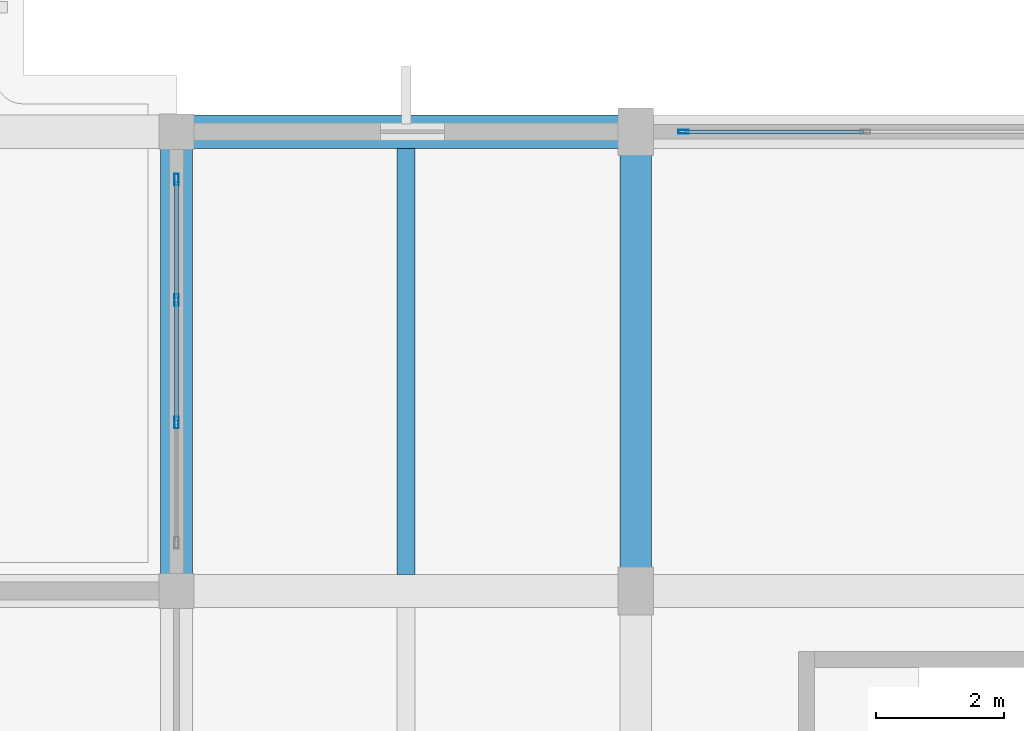
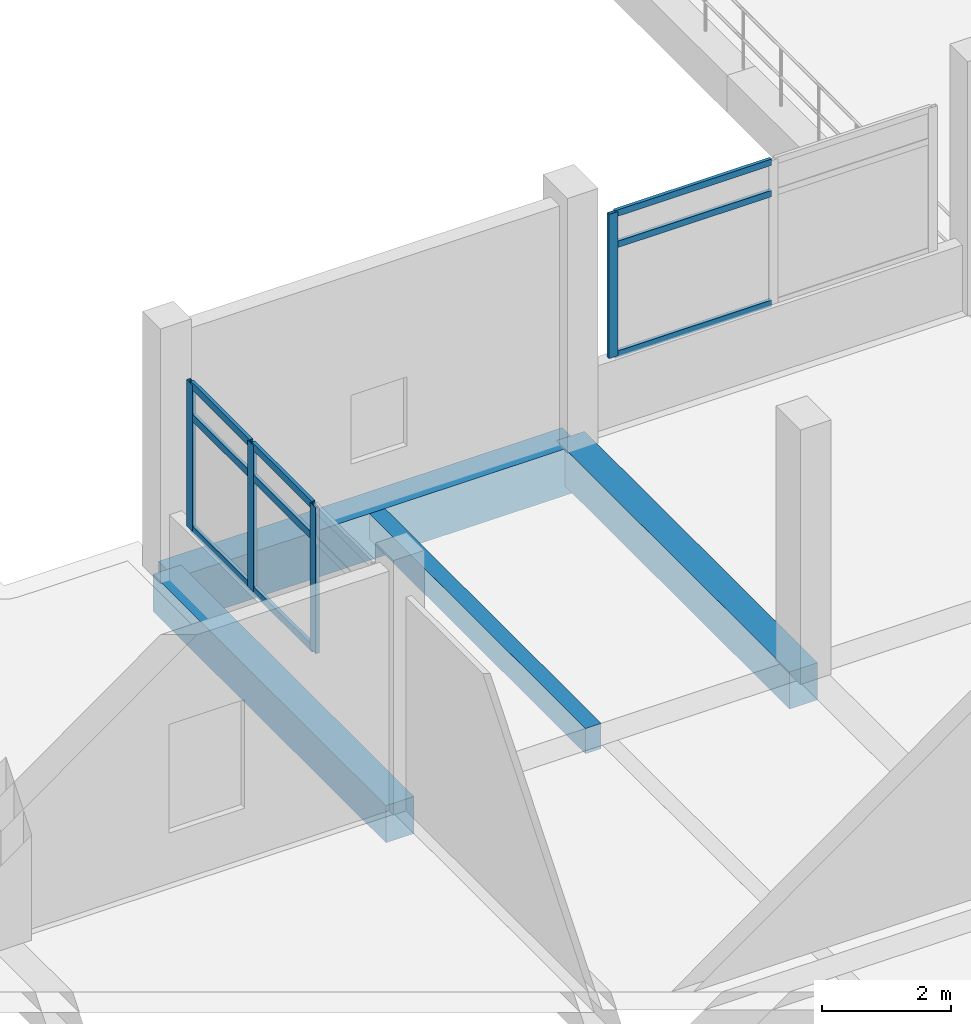
# One storey, part 90 of 140: 13 members, 4 beams, 2 elements without a shape of their own.
"""IFC4 building model written with IfcOpenShell, lengths in metres."""

from ifc_helpers import new_model, si_unit, direction, frame, origin, origin_2d, place, context, subcontext, project, spatial, rectangle, hollow_rectangle, extrude, material, layer, layer_set, material_profile, profile_set, type_object, element, aggregate, save


model = new_model("IFC4")

# Units and contexts
model_context = context("Model", 3, precision=1e-05, world=origin(), true_north=direction((0.0, 1.0)))
body_context = subcontext(model_context, "Body", "Model", "MODEL_VIEW")
ifc_project = project(units=[si_unit("LENGTHUNIT", "METRE"), si_unit("AREAUNIT", "SQUARE_METRE"), si_unit("VOLUMEUNIT", "CUBIC_METRE"), si_unit("PLANEANGLEUNIT", "RADIAN"), si_unit("MASSUNIT", "GRAM", prefix="KILO")], contexts=[model_context])

# Site, building, storey
site_placement = place(None, origin())
site = spatial("IfcSite", under=ifc_project, at=site_placement, CompositionType="ELEMENT")
building_placement = place(site_placement, origin())
building = spatial("IfcBuilding", under=site, at=building_placement, Name="Seraya Terrace Polytechnic", CompositionType="ELEMENT")
storey_placement = place(building_placement, frame((0.0, 0.0, 9.60009765625)))
storey = spatial("IfcBuildingStorey", under=building, at=storey_placement, Name="L02", CompositionType="ELEMENT", Elevation=9.60009765625)

# Beams
ifc_material_1 = material(Name="Concrete C40/50", Category="concrete")
ifc_material_profile_1 = material_profile(ifc_material_1, rectangle(XDim=0.52001953125, YDim=0.8798828125, at=origin_2d()), Name="RC 520x880")
ifc_profile_set_1 = profile_set([ifc_material_profile_1], Name="Concrete C40/50")
beam_type_1 = type_object("IfcBeamType", Name="BM-04", PredefinedType="BEAM", material=ifc_profile_set_1)
beam_1_placement = place(storey_placement, frame((129.60009765625, 36.0, -0.440185546875), z_axis=(1.0, 0.0, 0.0), x_axis=(0.0, 1.0, 0.0)))
element("IfcBeam", 1, at=beam_1_placement, inside=storey, type_object=beam_type_1, Name="Beam BM-04 L02 X (129.6..136.8, 36.0)", PredefinedType="BEAM", context=body_context, shape_type="SweptSolid", body=[
    extrude(rectangle(XDim=0.52001953125, YDim=0.8798828125, at=origin_2d()), origin(), (0.0, 0.0, 1.0), 7.199951171875),
])
ifc_material_profile_2 = material_profile(ifc_material_1, rectangle(XDim=0.5, YDim=0.699951171875, at=origin_2d()), Name="RC 500x700")
ifc_profile_set_2 = profile_set([ifc_material_profile_2], Name="Concrete C40/50")
beam_type_2 = type_object("IfcBeamType", Name="BM-07", PredefinedType="BEAM", material=ifc_profile_set_2)
for number, where, z_axis, x_axis, name in (
    (2, (129.60009765625, 28.800048828125, -0.35009765625), (0.0, 1.0, 0.0), (-1.0, 0.0, 0.0), "Beam BM-07 L02 Y (129.6, 28.8..36.0)"),
    (3, (136.800048828125, 28.800048828125, -0.35009765625), (0.0, 1.0, 0.0), (-1.0, 0.0, 0.0), "Beam BM-07 L02 Y (136.8, 28.8..36.0)"),
):
    element("IfcBeam", number, at=place(storey_placement, frame(where, z_axis=z_axis, x_axis=x_axis)), inside=storey, type_object=beam_type_2, Name=name, PredefinedType="BEAM", context=body_context, shape_type="SweptSolid", body=[
        extrude(rectangle(XDim=0.5, YDim=0.699951171875, at=origin_2d()), origin(), (0.0, 0.0, 1.0), 7.199951171875),
    ])

# Curtain wall, members
ifc_material_2 = material(Name="Anodised aluminium EN AW-6063 T6", Category="aluminium")
ifc_layer_1 = layer(ifc_material_2, 0.179931640625, Name="CW-28")
ifc_layer_set_1 = layer_set([ifc_layer_1], Name="Anodised aluminium EN AW-6063 T6")
curtain_wall_type_1 = type_object("IfcCurtainWallType", Name="CW-28", PredefinedType="NOTDEFINED", material=ifc_layer_set_1)
curtain_wall_1_placement = place(storey_placement, origin())
curtain_wall_1 = element("IfcCurtainWall", 4, at=curtain_wall_1_placement, inside=storey, type_object=curtain_wall_type_1, Name="Unitised curtain wall CW-28 (CW-L02-064)", PredefinedType="NOTDEFINED")
ifc_material_profile_3 = material_profile(ifc_material_2, hollow_rectangle(XDim=0.06494140625, YDim=0.179931640625, WallThickness=0.00390625, at=origin_2d()), Name="RHS 180x65x4.0")
ifc_profile_set_3 = profile_set([ifc_material_profile_3], Name="Anodised aluminium EN AW-6063 T6")
member_type_1 = type_object("IfcMemberType", Name="CWM-01", PredefinedType="MULLION", material=ifc_profile_set_3)
member_1_placement = place(storey_placement, frame((129.60009765625, 31.43994140625, 1.239990234375), z_axis=(0.0, 0.0, 1.0), x_axis=(-1.0, 0.0, 0.0)))
member_1 = element("IfcMember", 5, at=member_1_placement, type_object=member_type_1, Name="CW-28 mullion 2", PredefinedType="MULLION", context=body_context, shape_type="SweptSolid", body=[
    extrude(hollow_rectangle(XDim=0.06494140625, YDim=0.179931640625, WallThickness=0.00390625, at=origin_2d()), origin(), (0.0, 0.0, 1.0), 2.760009765625),
])
member_2_placement = place(storey_placement, frame((129.60009765625, 33.360107421875, 1.239990234375), z_axis=(0.0, 0.0, 1.0), x_axis=(-1.0, 0.0, 0.0)))
member_2 = element("IfcMember", 6, at=member_2_placement, type_object=member_type_1, Name="CW-28 mullion 3", PredefinedType="MULLION", context=body_context, shape_type="SweptSolid", body=[
    extrude(hollow_rectangle(XDim=0.06494140625, YDim=0.179931640625, WallThickness=0.00390625, at=origin_2d()), origin(), (0.0, 0.0, 1.0), 2.760009765625),
])
member_3_placement = place(storey_placement, frame((129.60009765625, 35.24755859375, 1.239990234375), z_axis=(0.0, 0.0, 1.0), x_axis=(-1.0, 0.0, 0.0)))
member_3 = element("IfcMember", 7, at=member_3_placement, type_object=member_type_1, Name="CW-28 mullion 4", PredefinedType="MULLION", context=body_context, shape_type="SweptSolid", body=[
    extrude(hollow_rectangle(XDim=0.06494140625, YDim=0.179931640625, WallThickness=0.00390625, at=origin_2d()), origin(), (0.0, 0.0, 1.0), 2.760009765625),
])

# Curtain wall, member
ifc_layer_2 = layer(ifc_material_2, 0.179931640625, Name="CW-29")
ifc_layer_set_2 = layer_set([ifc_layer_2], Name="Anodised aluminium EN AW-6063 T6")
curtain_wall_type_2 = type_object("IfcCurtainWallType", Name="CW-29", PredefinedType="NOTDEFINED", material=ifc_layer_set_2)
curtain_wall_2_placement = place(storey_placement, origin())
curtain_wall_2 = element("IfcCurtainWall", 8, at=curtain_wall_2_placement, inside=storey, type_object=curtain_wall_type_2, Name="Unitised curtain wall CW-29 (CW-L02-065)", PredefinedType="NOTDEFINED")
ifc_material_profile_4 = material_profile(ifc_material_2, hollow_rectangle(XDim=0.06005859375, YDim=0.159912109375, WallThickness=0.00341796875, at=origin_2d()), Name="RHS 160x60x3.5")
ifc_profile_set_4 = profile_set([ifc_material_profile_4], Name="Anodised aluminium EN AW-6063 T6")
member_type_2 = type_object("IfcMemberType", Name="CWM-02", PredefinedType="MULLION", material=ifc_profile_set_4)
member_4_placement = place(storey_placement, frame((137.550048828125, 36.0, 1.239990234375), z_axis=(0.0, 0.0, 1.0), x_axis=(0.0, 1.0, 0.0)))
member_4 = element("IfcMember", 9, at=member_4_placement, type_object=member_type_2, Name="CW-29 mullion 1", PredefinedType="MULLION", context=body_context, shape_type="SweptSolid", body=[
    extrude(hollow_rectangle(XDim=0.06005859375, YDim=0.159912109375, WallThickness=0.00341796875, at=origin_2d()), origin(), (0.0, 0.0, 1.0), 2.719970703125),
])

# Member
ifc_material_profile_5 = material_profile(ifc_material_2, hollow_rectangle(XDim=0.06005859375, YDim=0.139892578125, WallThickness=0.00341796875, at=origin_2d()), Name="RHS 140x60x3.5")
ifc_profile_set_5 = profile_set([ifc_material_profile_5], Name="Anodised aluminium EN AW-6063 T6")
member_type_3 = type_object("IfcMemberType", Name="CWT-01", PredefinedType="USERDEFINED", material=ifc_profile_set_5)
member_5_placement = place(storey_placement, frame((129.60009765625, 31.472412109375, 1.27001953125), z_axis=(0.0, 1.0, 0.0), x_axis=(-1.0, 0.0, 0.0)))
member_5 = element("IfcMember", 10, at=member_5_placement, type_object=member_type_3, Name="CW-28 transom 2.1", ObjectType="TRANSOM", PredefinedType="USERDEFINED", context=body_context, shape_type="SweptSolid", body=[
    extrude(hollow_rectangle(XDim=0.06005859375, YDim=0.139892578125, WallThickness=0.00341796875, at=origin_2d()), origin(), (0.0, 0.0, 1.0), 1.85498046875),
])

member_6_placement = place(storey_placement, frame((129.60009765625, 31.472412109375, 3.3798828125), z_axis=(0.0, 1.0, 0.0), x_axis=(-1.0, 0.0, 0.0)))
member_6 = element("IfcMember", 11, at=member_6_placement, type_object=member_type_3, Name="CW-28 transom 2.2", ObjectType="TRANSOM", PredefinedType="USERDEFINED", context=body_context, shape_type="SweptSolid", body=[
    extrude(hollow_rectangle(XDim=0.06005859375, YDim=0.139892578125, WallThickness=0.00341796875, at=origin_2d()), origin(), (0.0, 0.0, 1.0), 1.85498046875),
])

member_7_placement = place(storey_placement, frame((129.60009765625, 31.472412109375, 3.969970703125), z_axis=(0.0, 1.0, 0.0), x_axis=(-1.0, 0.0, 0.0)))
member_7 = element("IfcMember", 12, at=member_7_placement, type_object=member_type_3, Name="CW-28 transom 2.3", ObjectType="TRANSOM", PredefinedType="USERDEFINED", context=body_context, shape_type="SweptSolid", body=[
    extrude(hollow_rectangle(XDim=0.06005859375, YDim=0.139892578125, WallThickness=0.00341796875, at=origin_2d()), origin(), (0.0, 0.0, 1.0), 1.85498046875),
])

member_8_placement = place(storey_placement, frame((129.60009765625, 33.392578125, 1.27001953125), z_axis=(0.0, 1.0, 0.0), x_axis=(-1.0, 0.0, 0.0)))
member_8 = element("IfcMember", 13, at=member_8_placement, type_object=member_type_3, Name="CW-28 transom 3.1", ObjectType="TRANSOM", PredefinedType="USERDEFINED", context=body_context, shape_type="SweptSolid", body=[
    extrude(hollow_rectangle(XDim=0.06005859375, YDim=0.139892578125, WallThickness=0.00341796875, at=origin_2d()), origin(), (0.0, 0.0, 1.0), 1.822509765625),
])

member_9_placement = place(storey_placement, frame((129.60009765625, 33.392578125, 3.3798828125), z_axis=(0.0, 1.0, 0.0), x_axis=(-1.0, 0.0, 0.0)))
member_9 = element("IfcMember", 14, at=member_9_placement, type_object=member_type_3, Name="CW-28 transom 3.2", ObjectType="TRANSOM", PredefinedType="USERDEFINED", context=body_context, shape_type="SweptSolid", body=[
    extrude(hollow_rectangle(XDim=0.06005859375, YDim=0.139892578125, WallThickness=0.00341796875, at=origin_2d()), origin(), (0.0, 0.0, 1.0), 1.822509765625),
])

member_10_placement = place(storey_placement, frame((129.60009765625, 33.392578125, 3.969970703125), z_axis=(0.0, 1.0, 0.0), x_axis=(-1.0, 0.0, 0.0)))
member_10 = element("IfcMember", 15, at=member_10_placement, type_object=member_type_3, Name="CW-28 transom 3.3", ObjectType="TRANSOM", PredefinedType="USERDEFINED", context=body_context, shape_type="SweptSolid", body=[
    extrude(hollow_rectangle(XDim=0.06005859375, YDim=0.139892578125, WallThickness=0.00341796875, at=origin_2d()), origin(), (0.0, 0.0, 1.0), 1.822509765625),
])

aggregate(curtain_wall_1, [member_1, member_2, member_3, member_5, member_6, member_7, member_8, member_9, member_10])

ifc_material_profile_6 = material_profile(ifc_material_2, hollow_rectangle(XDim=0.06005859375, YDim=0.1201171875, WallThickness=0.003173828125, at=origin_2d()), Name="RHS 120x60x3.2")
ifc_profile_set_6 = profile_set([ifc_material_profile_6], Name="Anodised aluminium EN AW-6063 T6")
member_type_4 = type_object("IfcMemberType", Name="CWT-02", PredefinedType="USERDEFINED", material=ifc_profile_set_6)
member_11_placement = place(storey_placement, frame((137.580078125, 36.0, 1.27001953125), z_axis=(1.0, 0.0, 0.0), x_axis=(0.0, 1.0, 0.0)))
member_11 = element("IfcMember", 16, at=member_11_placement, type_object=member_type_4, Name="CW-29 transom 1.1", ObjectType="TRANSOM", PredefinedType="USERDEFINED", context=body_context, shape_type="SweptSolid", body=[
    extrude(hollow_rectangle(XDim=0.06005859375, YDim=0.1201171875, WallThickness=0.003173828125, at=origin_2d()), origin(), (0.0, 0.0, 1.0), 2.7900390625),
])

member_12_placement = place(storey_placement, frame((137.580078125, 36.0, 3.33984375), z_axis=(1.0, 0.0, 0.0), x_axis=(0.0, 1.0, 0.0)))
member_12 = element("IfcMember", 17, at=member_12_placement, type_object=member_type_4, Name="CW-29 transom 1.2", ObjectType="TRANSOM", PredefinedType="USERDEFINED", context=body_context, shape_type="SweptSolid", body=[
    extrude(hollow_rectangle(XDim=0.06005859375, YDim=0.1201171875, WallThickness=0.003173828125, at=origin_2d()), origin(), (0.0, 0.0, 1.0), 2.7900390625),
])

member_13_placement = place(storey_placement, frame((137.580078125, 36.0, 3.929931640625), z_axis=(1.0, 0.0, 0.0), x_axis=(0.0, 1.0, 0.0)))
member_13 = element("IfcMember", 18, at=member_13_placement, type_object=member_type_4, Name="CW-29 transom 1.3", ObjectType="TRANSOM", PredefinedType="USERDEFINED", context=body_context, shape_type="SweptSolid", body=[
    extrude(hollow_rectangle(XDim=0.06005859375, YDim=0.1201171875, WallThickness=0.003173828125, at=origin_2d()), origin(), (0.0, 0.0, 1.0), 2.7900390625),
])

aggregate(curtain_wall_2, [member_4, member_11, member_12, member_13])

# Beam
ifc_material_profile_7 = material_profile(ifc_material_1, rectangle(XDim=0.280029296875, YDim=0.47998046875, at=origin_2d()), Name="RC 280x480")
ifc_profile_set_7 = profile_set([ifc_material_profile_7], Name="Concrete C40/50")
beam_type_3 = type_object("IfcBeamType", Name="JS-07", PredefinedType="JOIST", material=ifc_profile_set_7)
beam_2_placement = place(storey_placement, frame((133.199951171875, 29.06005859375, -0.239990234375), z_axis=(0.0, 1.0, 0.0), x_axis=(-1.0, 0.0, 0.0)))
element("IfcBeam", 19, at=beam_2_placement, inside=storey, type_object=beam_type_3, Name="Secondary joist JS-07 L02", PredefinedType="JOIST", context=body_context, shape_type="SweptSolid", body=[
    extrude(rectangle(XDim=0.280029296875, YDim=0.47998046875, at=origin_2d()), origin(), (0.0, 0.0, 1.0), 6.679931640625),
])

save(model, "model.ifc")
